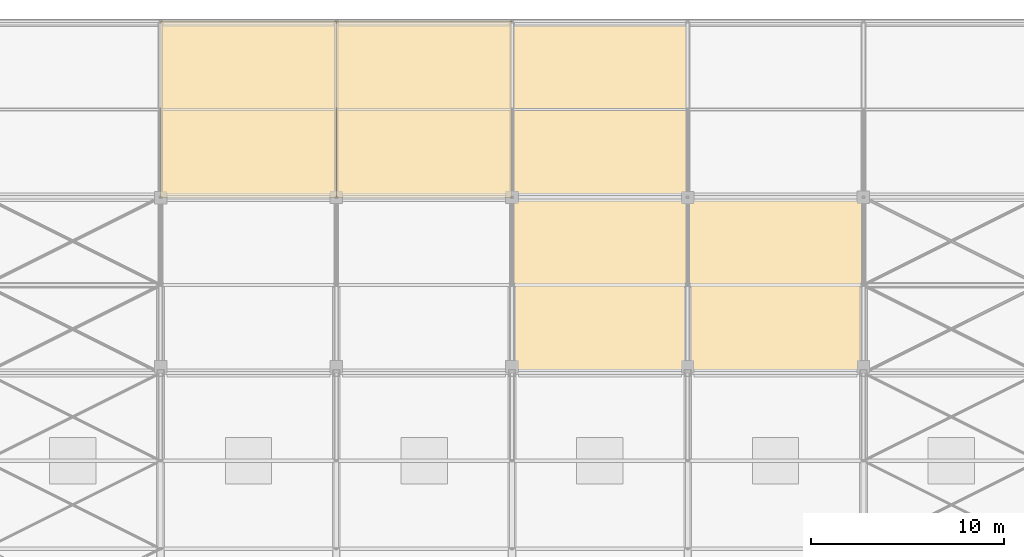
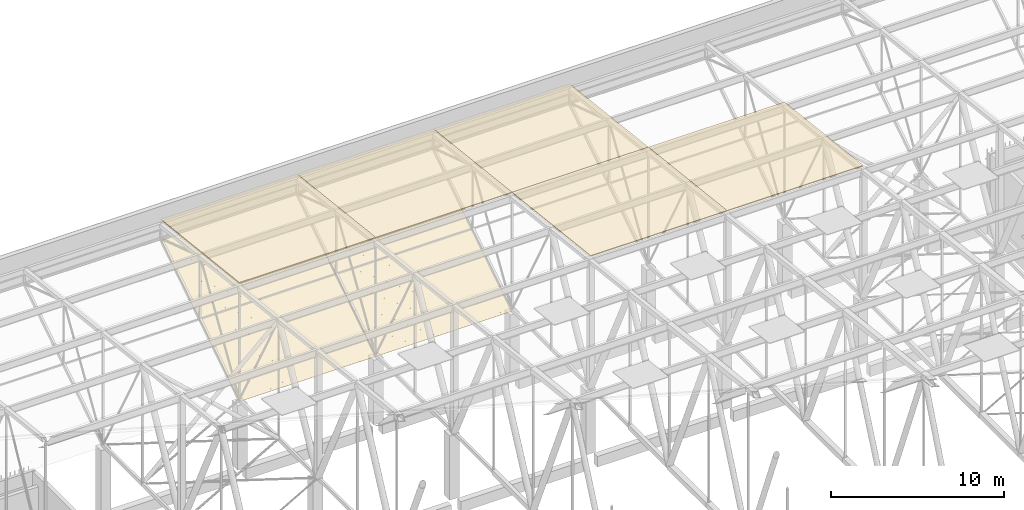
# One storey, part 480 of 500: 7 coverings.
"""IFC4 building model written with IfcOpenShell, lengths in metres."""

from ifc_helpers import new_model, si_unit, direction, frame, origin, place, context, subcontext, project, spatial, polyline, outline, extrude, material, layer, layer_set, type_object, element, save


model = new_model("IFC4")

# Units and contexts
model_context = context("Model", 3, precision=1e-05, world=origin(), true_north=direction((0.0, 1.0)))
body_context = subcontext(model_context, "Body", "Model", "MODEL_VIEW")
ifc_project = project(units=[si_unit("LENGTHUNIT", "METRE"), si_unit("AREAUNIT", "SQUARE_METRE"), si_unit("VOLUMEUNIT", "CUBIC_METRE"), si_unit("PLANEANGLEUNIT", "RADIAN"), si_unit("MASSUNIT", "GRAM", prefix="KILO")], contexts=[model_context])

# Site, building, storey
site_placement = place(None, origin())
site = spatial("IfcSite", under=ifc_project, at=site_placement, CompositionType="ELEMENT")
building_placement = place(site_placement, origin())
building = spatial("IfcBuilding", under=site, at=building_placement, Name="Shirokan Park Arena", CompositionType="ELEMENT")
storey_placement = place(building_placement, frame((0.0, 0.0, 29.1201171875)))
storey = spatial("IfcBuildingStorey", under=building, at=storey_placement, Name="L06", CompositionType="ELEMENT", Elevation=29.1201171875)

# Coverings
ifc_material_1 = material(Name="Bituminous roofing membrane")
ifc_layer_1 = layer(ifc_material_1, 0.010009765625, Name="Bituminous roofing membrane")
ifc_material_2 = material(Name="Mineral wool insulation")
ifc_layer_2 = layer(ifc_material_2, 0.050048828125, Name="Mineral wool insulation")
ifc_layer_set_1 = layer_set([ifc_layer_1, ifc_layer_2], Name="Bituminous roofing membrane + Mineral wool insulation")
covering_type_1 = type_object("IfcCoveringType", Name="Roofing membrane 60", PredefinedType="ROOFING", material=ifc_layer_set_1)
covering_1_placement = place(storey_placement, frame((54.60009765625, 109.199951171875, 12.9306640625), z_axis=(0.0, 0.113549598152, 0.993532328996), x_axis=(1.0, 0.0, 0.0)))
element("IfcCovering", 1, at=covering_1_placement, inside=storey, type_object=covering_type_1, Name="Roofing", PredefinedType="ROOFING", context=body_context, shape_type="SweptSolid", body=[
    extrude(outline(polyline([(0.0, 0.0), (9.099853515625, 0.0), (9.099853515625, 9.15933723611117), (0.0, 9.15933723611117), (0.0, 0.0)])), origin(), (0.0, 0.0, -1.0), 0.06005859375),
])
covering_2_placement = place(storey_placement, frame((63.699951171875, 109.199951171875, 12.9306640625), z_axis=(0.0, 0.113549598152, 0.993532328996), x_axis=(1.0, 0.0, 0.0)))
element("IfcCovering", 2, at=covering_2_placement, inside=storey, type_object=covering_type_1, Name="Roofing", PredefinedType="ROOFING", context=body_context, shape_type="SweptSolid", body=[
    extrude(outline(polyline([(0.0, 0.0), (9.10009765625, 0.0), (9.10009765625, 9.15933723611117), (0.0, 9.15933723611117), (0.0, 0.0)])), origin(), (0.0, 0.0, -1.0), 0.06005859375),
])
covering_3_placement = place(storey_placement, frame((72.800048828125, 100.10009765625, 13.970703125), z_axis=(0.0, 0.113552605302, 0.993531985308), x_axis=(1.0, 0.0, 0.0)))
element("IfcCovering", 3, at=covering_3_placement, inside=storey, type_object=covering_type_1, Name="Roofing", PredefinedType="ROOFING", context=body_context, shape_type="SweptSolid", body=[
    extrude(outline(polyline([(0.0, 0.0), (9.099853515625, 0.0), (9.099853515625, 9.159094674549365), (0.0, 9.159094674549365), (0.0, 0.0)])), origin(), (0.0, 0.0, -1.0), 0.06005859375),
])
covering_4_placement = place(storey_placement, frame((72.800048828125, 109.199951171875, 12.9306640625), z_axis=(0.0, 0.113549598152, 0.993532328996), x_axis=(1.0, 0.0, 0.0)))
element("IfcCovering", 4, at=covering_4_placement, inside=storey, type_object=covering_type_1, Name="Roofing", PredefinedType="ROOFING", context=body_context, shape_type="SweptSolid", body=[
    extrude(outline(polyline([(0.0, 0.0), (9.099853515625, 0.0), (9.099853515625, 9.15933723611117), (0.0, 9.15933723611117), (0.0, 0.0)])), origin(), (0.0, 0.0, -1.0), 0.06005859375),
])
covering_5_placement = place(storey_placement, frame((81.89990234375, 100.10009765625, 13.970703125), z_axis=(0.0, 0.113552605302, 0.993531985308), x_axis=(1.0, 0.0, 0.0)))
element("IfcCovering", 5, at=covering_5_placement, inside=storey, type_object=covering_type_1, Name="Roofing", PredefinedType="ROOFING", context=body_context, shape_type="SweptSolid", body=[
    extrude(outline(polyline([(0.0, 0.0), (9.10009765625, 0.0), (9.10009765625, 9.159094674549367), (0.0, 9.159094674549367), (0.0, 0.0)])), origin(), (0.0, 0.0, -1.0), 0.06005859375),
])
ifc_material_3 = material(Name="Timber soffit boards (cedar)", Category="wood")
ifc_layer_3 = layer(ifc_material_3, 0.030029296875)
ifc_layer_set_2 = layer_set([ifc_layer_3], Name="Timber soffit boards (cedar) 30 mm")
covering_type_2 = type_object("IfcCoveringType", Name="Timber boarded soffit panel", PredefinedType="CLADDING", material=ifc_layer_set_2)
covering_6_placement = place(storey_placement, origin())
element("IfcCovering", 6, at=covering_6_placement, inside=storey, type_object=covering_type_2, Name="Eave soffit north bay 7", PredefinedType="CLADDING", context=body_context, shape_type="SweptSolid", body=[
    extrude(outline(polyline([(0.0, 0.0), (0.14269332184793307, 0.0), (0.14269332184793307, -9.100000000000001), (0.0, -9.100000000000001), (0.0, 0.0)])), frame((63.699951171875, 109.320068359375, 4.60302734375), z_axis=(0.0, -0.541090493936, 0.840964373426), x_axis=(0.0, -0.840964373426, -0.541090493936)), (0.0, 0.0, -1.0), 0.030029296875),
    extrude(outline(polyline([(0.0, 0.0), (0.1426933218479331, 0.0), (0.1426933218479331, -9.100000000000003), (0.0, -9.100000000000003), (0.0, 0.0)])), frame((54.60009765625, 118.179931640625, 10.3037109375), z_axis=(0.0, -0.541090493936, 0.840964373426), x_axis=(0.0, 0.840964373426, 0.541090493936)), (0.0, 0.0, -1.0), 0.030029296875),
    extrude(outline(polyline([(0.0, 0.0), (0.12000000000000455, 0.0), (0.12000000000000455, -10.535473996759718), (0.0, -10.535473996759718), (0.0, 0.0)])), frame((63.699951171875, 109.320068359375, 4.60302734375), z_axis=(0.0, -0.541084340558, 0.84096833258), x_axis=(-1.0, 0.0, 0.0)), (0.0, 0.0, -1.0), 0.030029296875),
    extrude(outline(polyline([(0.0, 0.0), (0.11999999999999744, 0.0), (0.11999999999999744, -10.53547399675972), (0.0, -10.53547399675972), (0.0, 0.0)])), frame((54.60009765625, 118.179931640625, 10.3037109375), z_axis=(0.0, -0.541084340558, 0.84096833258), x_axis=(1.0, 0.0, 0.0)), (0.0, 0.0, -1.0), 0.030029296875),
    extrude(outline(polyline([(0.0, 0.0), (10.535473996759718, 0.0), (10.535473996759718, -0.183329999999998), (0.0, -0.183329999999998), (0.0, 0.0)])), frame((54.9033203125, 118.179931640625, 10.3037109375), z_axis=(0.0, -0.541084340558, 0.84096833258), x_axis=(0.0, -0.84096833258, -0.541084340558)), (0.0, 0.0, -1.0), 0.030029296875),
    extrude(outline(polyline([(0.0, 0.0), (10.535473996759718, 0.0), (10.535473996759718, -0.3033400000000057), (0.0, -0.3033400000000057), (0.0, 0.0)])), frame((55.206787109375, 118.179931640625, 10.3037109375), z_axis=(0.0, -0.541084340558, 0.84096833258), x_axis=(0.0, -0.84096833258, -0.541084340558)), (0.0, 0.0, -1.0), 0.030029296875),
    extrude(outline(polyline([(0.0, 0.0), (10.535473996759718, 0.0), (10.535473996759718, -0.30332999999999544), (0.0, -0.30332999999999544), (0.0, 0.0)])), frame((55.510009765625, 118.179931640625, 10.3037109375), z_axis=(0.0, -0.541084340558, 0.84096833258), x_axis=(0.0, -0.84096833258, -0.541084340558)), (0.0, 0.0, -1.0), 0.030029296875),
    extrude(outline(polyline([(0.0, 0.0), (10.535473996759718, 0.0), (10.535473996759718, -0.30333000000000254), (0.0, -0.30333000000000254), (0.0, 0.0)])), frame((55.813232421875, 118.179931640625, 10.3037109375), z_axis=(0.0, -0.541084340558, 0.84096833258), x_axis=(0.0, -0.84096833258, -0.541084340558)), (0.0, 0.0, -1.0), 0.030029296875),
    extrude(outline(polyline([(0.0, 0.0), (10.535473996759718, 0.0), (10.535473996759718, -0.3033399999999986), (0.0, -0.3033399999999986), (0.0, 0.0)])), frame((56.11669921875, 118.179931640625, 10.3037109375), z_axis=(0.0, -0.541084340558, 0.84096833258), x_axis=(0.0, -0.84096833258, -0.541084340558)), (0.0, 0.0, -1.0), 0.030029296875),
    extrude(outline(polyline([(0.0, 0.0), (10.535473996759718, 0.0), (10.535473996759718, -0.30333000000000254), (0.0, -0.30333000000000254), (0.0, 0.0)])), frame((56.419921875, 118.179931640625, 10.3037109375), z_axis=(0.0, -0.541084340558, 0.84096833258), x_axis=(0.0, -0.84096833258, -0.541084340558)), (0.0, 0.0, -1.0), 0.030029296875),
    extrude(outline(polyline([(0.0, 0.0), (10.535473996759718, 0.0), (10.535473996759718, -0.30332999999999544), (0.0, -0.30332999999999544), (0.0, 0.0)])), frame((56.723388671875, 118.179931640625, 10.3037109375), z_axis=(0.0, -0.541084340558, 0.84096833258), x_axis=(0.0, -0.84096833258, -0.541084340558)), (0.0, 0.0, -1.0), 0.030029296875),
    extrude(outline(polyline([(0.0, 0.0), (10.535473996759718, 0.0), (10.535473996759718, -0.3033400000000057), (0.0, -0.3033400000000057), (0.0, 0.0)])), frame((57.026611328125, 118.179931640625, 10.3037109375), z_axis=(0.0, -0.541084340558, 0.84096833258), x_axis=(0.0, -0.84096833258, -0.541084340558)), (0.0, 0.0, -1.0), 0.030029296875),
    extrude(outline(polyline([(0.0, 0.0), (10.535473996759718, 0.0), (10.535473996759718, -0.30332999999999544), (0.0, -0.30332999999999544), (0.0, 0.0)])), frame((57.330078125, 118.179931640625, 10.3037109375), z_axis=(0.0, -0.541084340558, 0.84096833258), x_axis=(0.0, -0.84096833258, -0.541084340558)), (0.0, 0.0, -1.0), 0.030029296875),
    extrude(outline(polyline([(0.0, 0.0), (10.535473996759718, 0.0), (10.535473996759718, -0.30333000000000254), (0.0, -0.30333000000000254), (0.0, 0.0)])), frame((57.63330078125, 118.179931640625, 10.3037109375), z_axis=(0.0, -0.541084340558, 0.84096833258), x_axis=(0.0, -0.84096833258, -0.541084340558)), (0.0, 0.0, -1.0), 0.030029296875),
    extrude(outline(polyline([(0.0, 0.0), (10.535473996759718, 0.0), (10.535473996759718, -0.3033399999999986), (0.0, -0.3033399999999986), (0.0, 0.0)])), frame((57.936767578125, 118.179931640625, 10.3037109375), z_axis=(0.0, -0.541084340558, 0.84096833258), x_axis=(0.0, -0.84096833258, -0.541084340558)), (0.0, 0.0, -1.0), 0.030029296875),
    extrude(outline(polyline([(0.0, 0.0), (10.535473996759718, 0.0), (10.535473996759718, -0.30333000000000254), (0.0, -0.30333000000000254), (0.0, 0.0)])), frame((58.239990234375, 118.179931640625, 10.3037109375), z_axis=(0.0, -0.541084340558, 0.84096833258), x_axis=(0.0, -0.84096833258, -0.541084340558)), (0.0, 0.0, -1.0), 0.030029296875),
    extrude(outline(polyline([(0.0, 0.0), (10.535473996759718, 0.0), (10.535473996759718, -0.30332999999999544), (0.0, -0.30332999999999544), (0.0, 0.0)])), frame((58.543212890625, 118.179931640625, 10.3037109375), z_axis=(0.0, -0.541084340558, 0.84096833258), x_axis=(0.0, -0.84096833258, -0.541084340558)), (0.0, 0.0, -1.0), 0.030029296875),
    extrude(outline(polyline([(0.0, 0.0), (10.535473996759718, 0.0), (10.535473996759718, -0.3033400000000057), (0.0, -0.3033400000000057), (0.0, 0.0)])), frame((58.8466796875, 118.179931640625, 10.3037109375), z_axis=(0.0, -0.541084340558, 0.84096833258), x_axis=(0.0, -0.84096833258, -0.541084340558)), (0.0, 0.0, -1.0), 0.030029296875),
    extrude(outline(polyline([(0.0, 0.0), (10.535473996759718, 0.0), (10.535473996759718, -0.30332999999999544), (0.0, -0.30332999999999544), (0.0, 0.0)])), frame((59.14990234375, 118.179931640625, 10.3037109375), z_axis=(0.0, -0.541084340558, 0.84096833258), x_axis=(0.0, -0.84096833258, -0.541084340558)), (0.0, 0.0, -1.0), 0.030029296875),
    extrude(outline(polyline([(0.0, 0.0), (10.535473996759718, 0.0), (10.535473996759718, -0.30333000000000254), (0.0, -0.30333000000000254), (0.0, 0.0)])), frame((59.453369140625, 118.179931640625, 10.3037109375), z_axis=(0.0, -0.541084340558, 0.84096833258), x_axis=(0.0, -0.84096833258, -0.541084340558)), (0.0, 0.0, -1.0), 0.030029296875),
    extrude(outline(polyline([(0.0, 0.0), (10.535473996759718, 0.0), (10.535473996759718, -0.3033399999999986), (0.0, -0.3033399999999986), (0.0, 0.0)])), frame((59.756591796875, 118.179931640625, 10.3037109375), z_axis=(0.0, -0.541084340558, 0.84096833258), x_axis=(0.0, -0.84096833258, -0.541084340558)), (0.0, 0.0, -1.0), 0.030029296875),
    extrude(outline(polyline([(0.0, 0.0), (10.535473996759718, 0.0), (10.535473996759718, -0.30333000000000254), (0.0, -0.30333000000000254), (0.0, 0.0)])), frame((60.06005859375, 118.179931640625, 10.3037109375), z_axis=(0.0, -0.541084340558, 0.84096833258), x_axis=(0.0, -0.84096833258, -0.541084340558)), (0.0, 0.0, -1.0), 0.030029296875),
    extrude(outline(polyline([(0.0, 0.0), (10.535473996759718, 0.0), (10.535473996759718, -0.30332999999999544), (0.0, -0.30332999999999544), (0.0, 0.0)])), frame((60.36328125, 118.179931640625, 10.3037109375), z_axis=(0.0, -0.541084340558, 0.84096833258), x_axis=(0.0, -0.84096833258, -0.541084340558)), (0.0, 0.0, -1.0), 0.030029296875),
    extrude(outline(polyline([(0.0, 0.0), (10.535473996759718, 0.0), (10.535473996759718, -0.3033400000000057), (0.0, -0.3033400000000057), (0.0, 0.0)])), frame((60.666748046875, 118.179931640625, 10.3037109375), z_axis=(0.0, -0.541084340558, 0.84096833258), x_axis=(0.0, -0.84096833258, -0.541084340558)), (0.0, 0.0, -1.0), 0.030029296875),
    extrude(outline(polyline([(0.0, 0.0), (10.535473996759718, 0.0), (10.535473996759718, -0.30332999999999544), (0.0, -0.30332999999999544), (0.0, 0.0)])), frame((60.969970703125, 118.179931640625, 10.3037109375), z_axis=(0.0, -0.541084340558, 0.84096833258), x_axis=(0.0, -0.84096833258, -0.541084340558)), (0.0, 0.0, -1.0), 0.030029296875),
    extrude(outline(polyline([(0.0, 0.0), (10.535473996759718, 0.0), (10.535473996759718, -0.30333000000000254), (0.0, -0.30333000000000254), (0.0, 0.0)])), frame((61.2734375, 118.179931640625, 10.3037109375), z_axis=(0.0, -0.541084340558, 0.84096833258), x_axis=(0.0, -0.84096833258, -0.541084340558)), (0.0, 0.0, -1.0), 0.030029296875),
    extrude(outline(polyline([(0.0, 0.0), (10.535473996759718, 0.0), (10.535473996759718, -0.30333999999999856), (0.0, -0.30333999999999856), (0.0, 0.0)])), frame((61.57666015625, 118.179931640625, 10.3037109375), z_axis=(0.0, -0.541084340558, 0.84096833258), x_axis=(0.0, -0.84096833258, -0.541084340558)), (0.0, 0.0, -1.0), 0.030029296875),
    extrude(outline(polyline([(0.0, 0.0), (10.535473996759718, 0.0), (10.535473996759718, -0.30333000000000254), (0.0, -0.30333000000000254), (0.0, 0.0)])), frame((61.8798828125, 118.179931640625, 10.3037109375), z_axis=(0.0, -0.541084340558, 0.84096833258), x_axis=(0.0, -0.84096833258, -0.541084340558)), (0.0, 0.0, -1.0), 0.030029296875),
    extrude(outline(polyline([(0.0, 0.0), (10.535473996759718, 0.0), (10.535473996759718, -0.30332999999999544), (0.0, -0.30332999999999544), (0.0, 0.0)])), frame((62.183349609375, 118.179931640625, 10.3037109375), z_axis=(0.0, -0.541084340558, 0.84096833258), x_axis=(0.0, -0.84096833258, -0.541084340558)), (0.0, 0.0, -1.0), 0.030029296875),
    extrude(outline(polyline([(0.0, 0.0), (10.535473996759718, 0.0), (10.535473996759718, -0.3033399999999986), (0.0, -0.3033399999999986), (0.0, 0.0)])), frame((62.486572265625, 118.179931640625, 10.3037109375), z_axis=(0.0, -0.541084340558, 0.84096833258), x_axis=(0.0, -0.84096833258, -0.541084340558)), (0.0, 0.0, -1.0), 0.030029296875),
    extrude(outline(polyline([(0.0, 0.0), (10.535473996759718, 0.0), (10.535473996759718, -0.30333000000000254), (0.0, -0.30333000000000254), (0.0, 0.0)])), frame((62.7900390625, 118.179931640625, 10.3037109375), z_axis=(0.0, -0.541084340558, 0.84096833258), x_axis=(0.0, -0.84096833258, -0.541084340558)), (0.0, 0.0, -1.0), 0.030029296875),
    extrude(outline(polyline([(0.0, 0.0), (10.535473996759718, 0.0), (10.535473996759718, -0.30333000000000254), (0.0, -0.30333000000000254), (0.0, 0.0)])), frame((63.09326171875, 118.179931640625, 10.3037109375), z_axis=(0.0, -0.541084340558, 0.84096833258), x_axis=(0.0, -0.84096833258, -0.541084340558)), (0.0, 0.0, -1.0), 0.030029296875),
    extrude(outline(polyline([(0.0, 0.0), (10.535473996759718, 0.0), (10.535473996759718, -0.30333999999999856), (0.0, -0.30333999999999856), (0.0, 0.0)])), frame((63.396728515625, 118.179931640625, 10.3037109375), z_axis=(0.0, -0.541084340558, 0.84096833258), x_axis=(0.0, -0.84096833258, -0.541084340558)), (0.0, 0.0, -1.0), 0.030029296875),
    extrude(outline(polyline([(0.0, 0.0), (10.535473996759718, 0.0), (10.535473996759718, -0.183329999999998), (0.0, -0.183329999999998), (0.0, 0.0)])), frame((63.580078125, 118.179931640625, 10.3037109375), z_axis=(0.0, -0.541084340558, 0.84096833258), x_axis=(0.0, -0.84096833258, -0.541084340558)), (0.0, 0.0, -1.0), 0.030029296875),
])
covering_7_placement = place(storey_placement, origin())
element("IfcCovering", 7, at=covering_7_placement, inside=storey, type_object=covering_type_2, Name="Eave soffit north bay 8", PredefinedType="CLADDING", context=body_context, shape_type="SweptSolid", body=[
    extrude(outline(polyline([(0.0, 0.0), (0.1426933218479331, 0.0), (0.1426933218479331, -9.099999999999996), (0.0, -9.099999999999996), (0.0, 0.0)])), frame((72.800048828125, 109.320068359375, 4.60302734375), z_axis=(0.0, -0.541090493936, 0.840964373426), x_axis=(0.0, -0.840964373426, -0.541090493936)), (0.0, 0.0, -1.0), 0.030029296875),
    extrude(outline(polyline([(0.0, 0.0), (0.1426933218479331, 0.0), (0.1426933218479331, -9.099999999999996), (0.0, -9.099999999999996), (0.0, 0.0)])), frame((63.699951171875, 118.179931640625, 10.3037109375), z_axis=(0.0, -0.541090493936, 0.840964373426), x_axis=(0.0, 0.840964373426, 0.541090493936)), (0.0, 0.0, -1.0), 0.030029296875),
    extrude(outline(polyline([(0.0, 0.0), (0.11999999999999034, 0.0), (0.11999999999999034, -10.535473996759718), (0.0, -10.535473996759718), (0.0, 0.0)])), frame((72.800048828125, 109.320068359375, 4.60302734375), z_axis=(0.0, -0.541084340558, 0.84096833258), x_axis=(-1.0, 0.0, 0.0)), (0.0, 0.0, -1.0), 0.030029296875),
    extrude(outline(polyline([(0.0, 0.0), (0.11999999999999744, 0.0), (0.11999999999999744, -10.53547399675972), (0.0, -10.53547399675972), (0.0, 0.0)])), frame((63.699951171875, 118.179931640625, 10.3037109375), z_axis=(0.0, -0.541084340558, 0.84096833258), x_axis=(1.0, 0.0, 0.0)), (0.0, 0.0, -1.0), 0.030029296875),
    extrude(outline(polyline([(0.0, 0.0), (10.535473996759718, 0.0), (10.535473996759718, -0.1833300000000051), (0.0, -0.1833300000000051), (0.0, 0.0)])), frame((64.00341796875, 118.179931640625, 10.3037109375), z_axis=(0.0, -0.541084340558, 0.84096833258), x_axis=(0.0, -0.84096833258, -0.541084340558)), (0.0, 0.0, -1.0), 0.030029296875),
    extrude(outline(polyline([(0.0, 0.0), (10.53547399675972, 0.0), (10.53547399675972, -0.3033399999999915), (0.0, -0.3033399999999915), (0.0, 0.0)])), frame((64.306640625, 118.179931640625, 10.3037109375), z_axis=(0.0, -0.541084340558, 0.84096833258), x_axis=(0.0, -0.84096833258, -0.541084340558)), (0.0, 0.0, -1.0), 0.030029296875),
    extrude(outline(polyline([(0.0, 0.0), (10.535473996759718, 0.0), (10.535473996759718, -0.30333000000000254), (0.0, -0.30333000000000254), (0.0, 0.0)])), frame((64.610107421875, 118.179931640625, 10.3037109375), z_axis=(0.0, -0.541084340558, 0.84096833258), x_axis=(0.0, -0.84096833258, -0.541084340558)), (0.0, 0.0, -1.0), 0.030029296875),
    extrude(outline(polyline([(0.0, 0.0), (10.535473996759718, 0.0), (10.535473996759718, -0.30333000000000254), (0.0, -0.30333000000000254), (0.0, 0.0)])), frame((64.913330078125, 118.179931640625, 10.3037109375), z_axis=(0.0, -0.541084340558, 0.84096833258), x_axis=(0.0, -0.84096833258, -0.541084340558)), (0.0, 0.0, -1.0), 0.030029296875),
    extrude(outline(polyline([(0.0, 0.0), (10.535473996759718, 0.0), (10.535473996759718, -0.3033399999999915), (0.0, -0.3033399999999915), (0.0, 0.0)])), frame((65.216552734375, 118.179931640625, 10.3037109375), z_axis=(0.0, -0.541084340558, 0.84096833258), x_axis=(0.0, -0.84096833258, -0.541084340558)), (0.0, 0.0, -1.0), 0.030029296875),
    extrude(outline(polyline([(0.0, 0.0), (10.535473996759718, 0.0), (10.535473996759718, -0.30333000000000254), (0.0, -0.30333000000000254), (0.0, 0.0)])), frame((65.52001953125, 118.179931640625, 10.3037109375), z_axis=(0.0, -0.541084340558, 0.84096833258), x_axis=(0.0, -0.84096833258, -0.541084340558)), (0.0, 0.0, -1.0), 0.030029296875),
    extrude(outline(polyline([(0.0, 0.0), (10.535473996759718, 0.0), (10.535473996759718, -0.30333000000000254), (0.0, -0.30333000000000254), (0.0, 0.0)])), frame((65.8232421875, 118.179931640625, 10.3037109375), z_axis=(0.0, -0.541084340558, 0.84096833258), x_axis=(0.0, -0.84096833258, -0.541084340558)), (0.0, 0.0, -1.0), 0.030029296875),
    extrude(outline(polyline([(0.0, 0.0), (10.535473996759718, 0.0), (10.535473996759718, -0.3033400000000057), (0.0, -0.3033400000000057), (0.0, 0.0)])), frame((66.126708984375, 118.179931640625, 10.3037109375), z_axis=(0.0, -0.541084340558, 0.84096833258), x_axis=(0.0, -0.84096833258, -0.541084340558)), (0.0, 0.0, -1.0), 0.030029296875),
    extrude(outline(polyline([(0.0, 0.0), (10.535473996759718, 0.0), (10.535473996759718, -0.30333000000000254), (0.0, -0.30333000000000254), (0.0, 0.0)])), frame((66.429931640625, 118.179931640625, 10.3037109375), z_axis=(0.0, -0.541084340558, 0.84096833258), x_axis=(0.0, -0.84096833258, -0.541084340558)), (0.0, 0.0, -1.0), 0.030029296875),
    extrude(outline(polyline([(0.0, 0.0), (10.535473996759718, 0.0), (10.535473996759718, -0.30332999999998833), (0.0, -0.30332999999998833), (0.0, 0.0)])), frame((66.7333984375, 118.179931640625, 10.3037109375), z_axis=(0.0, -0.541084340558, 0.84096833258), x_axis=(0.0, -0.84096833258, -0.541084340558)), (0.0, 0.0, -1.0), 0.030029296875),
    extrude(outline(polyline([(0.0, 0.0), (10.535473996759718, 0.0), (10.535473996759718, -0.3033400000000057), (0.0, -0.3033400000000057), (0.0, 0.0)])), frame((67.03662109375, 118.179931640625, 10.3037109375), z_axis=(0.0, -0.541084340558, 0.84096833258), x_axis=(0.0, -0.84096833258, -0.541084340558)), (0.0, 0.0, -1.0), 0.030029296875),
    extrude(outline(polyline([(0.0, 0.0), (10.535473996759718, 0.0), (10.535473996759718, -0.30333000000000254), (0.0, -0.30333000000000254), (0.0, 0.0)])), frame((67.340087890625, 118.179931640625, 10.3037109375), z_axis=(0.0, -0.541084340558, 0.84096833258), x_axis=(0.0, -0.84096833258, -0.541084340558)), (0.0, 0.0, -1.0), 0.030029296875),
    extrude(outline(polyline([(0.0, 0.0), (10.535473996759718, 0.0), (10.535473996759718, -0.30333000000000254), (0.0, -0.30333000000000254), (0.0, 0.0)])), frame((67.643310546875, 118.179931640625, 10.3037109375), z_axis=(0.0, -0.541084340558, 0.84096833258), x_axis=(0.0, -0.84096833258, -0.541084340558)), (0.0, 0.0, -1.0), 0.030029296875),
    extrude(outline(polyline([(0.0, 0.0), (10.53547399675972, 0.0), (10.53547399675972, -0.3033399999999915), (0.0, -0.3033399999999915), (0.0, 0.0)])), frame((67.94677734375, 118.179931640625, 10.3037109375), z_axis=(0.0, -0.541084340558, 0.84096833258), x_axis=(0.0, -0.84096833258, -0.541084340558)), (0.0, 0.0, -1.0), 0.030029296875),
    extrude(outline(polyline([(0.0, 0.0), (10.535473996759718, 0.0), (10.535473996759718, -0.30333000000000254), (0.0, -0.30333000000000254), (0.0, 0.0)])), frame((68.25, 118.179931640625, 10.3037109375), z_axis=(0.0, -0.541084340558, 0.84096833258), x_axis=(0.0, -0.84096833258, -0.541084340558)), (0.0, 0.0, -1.0), 0.030029296875),
    extrude(outline(polyline([(0.0, 0.0), (10.535473996759718, 0.0), (10.535473996759718, -0.30333000000000254), (0.0, -0.30333000000000254), (0.0, 0.0)])), frame((68.55322265625, 118.179931640625, 10.3037109375), z_axis=(0.0, -0.541084340558, 0.84096833258), x_axis=(0.0, -0.84096833258, -0.541084340558)), (0.0, 0.0, -1.0), 0.030029296875),
    extrude(outline(polyline([(0.0, 0.0), (10.535473996759718, 0.0), (10.535473996759718, -0.3033399999999915), (0.0, -0.3033399999999915), (0.0, 0.0)])), frame((68.856689453125, 118.179931640625, 10.3037109375), z_axis=(0.0, -0.541084340558, 0.84096833258), x_axis=(0.0, -0.84096833258, -0.541084340558)), (0.0, 0.0, -1.0), 0.030029296875),
    extrude(outline(polyline([(0.0, 0.0), (10.535473996759718, 0.0), (10.535473996759718, -0.30333000000000254), (0.0, -0.30333000000000254), (0.0, 0.0)])), frame((69.159912109375, 118.179931640625, 10.3037109375), z_axis=(0.0, -0.541084340558, 0.84096833258), x_axis=(0.0, -0.84096833258, -0.541084340558)), (0.0, 0.0, -1.0), 0.030029296875),
    extrude(outline(polyline([(0.0, 0.0), (10.535473996759718, 0.0), (10.535473996759718, -0.30333000000000254), (0.0, -0.30333000000000254), (0.0, 0.0)])), frame((69.46337890625, 118.179931640625, 10.3037109375), z_axis=(0.0, -0.541084340558, 0.84096833258), x_axis=(0.0, -0.84096833258, -0.541084340558)), (0.0, 0.0, -1.0), 0.030029296875),
    extrude(outline(polyline([(0.0, 0.0), (10.535473996759718, 0.0), (10.535473996759718, -0.3033400000000057), (0.0, -0.3033400000000057), (0.0, 0.0)])), frame((69.7666015625, 118.179931640625, 10.3037109375), z_axis=(0.0, -0.541084340558, 0.84096833258), x_axis=(0.0, -0.84096833258, -0.541084340558)), (0.0, 0.0, -1.0), 0.030029296875),
    extrude(outline(polyline([(0.0, 0.0), (10.535473996759718, 0.0), (10.535473996759718, -0.30332999999998833), (0.0, -0.30332999999998833), (0.0, 0.0)])), frame((70.070068359375, 118.179931640625, 10.3037109375), z_axis=(0.0, -0.541084340558, 0.84096833258), x_axis=(0.0, -0.84096833258, -0.541084340558)), (0.0, 0.0, -1.0), 0.030029296875),
    extrude(outline(polyline([(0.0, 0.0), (10.535473996759718, 0.0), (10.535473996759718, -0.30333000000000254), (0.0, -0.30333000000000254), (0.0, 0.0)])), frame((70.373291015625, 118.179931640625, 10.3037109375), z_axis=(0.0, -0.541084340558, 0.84096833258), x_axis=(0.0, -0.84096833258, -0.541084340558)), (0.0, 0.0, -1.0), 0.030029296875),
    extrude(outline(polyline([(0.0, 0.0), (10.535473996759718, 0.0), (10.535473996759718, -0.3033400000000057), (0.0, -0.3033400000000057), (0.0, 0.0)])), frame((70.6767578125, 118.179931640625, 10.3037109375), z_axis=(0.0, -0.541084340558, 0.84096833258), x_axis=(0.0, -0.84096833258, -0.541084340558)), (0.0, 0.0, -1.0), 0.030029296875),
    extrude(outline(polyline([(0.0, 0.0), (10.535473996759718, 0.0), (10.535473996759718, -0.30333000000000254), (0.0, -0.30333000000000254), (0.0, 0.0)])), frame((70.97998046875, 118.179931640625, 10.3037109375), z_axis=(0.0, -0.541084340558, 0.84096833258), x_axis=(0.0, -0.84096833258, -0.541084340558)), (0.0, 0.0, -1.0), 0.030029296875),
    extrude(outline(polyline([(0.0, 0.0), (10.535473996759718, 0.0), (10.535473996759718, -0.30333000000000254), (0.0, -0.30333000000000254), (0.0, 0.0)])), frame((71.283447265625, 118.179931640625, 10.3037109375), z_axis=(0.0, -0.541084340558, 0.84096833258), x_axis=(0.0, -0.84096833258, -0.541084340558)), (0.0, 0.0, -1.0), 0.030029296875),
    extrude(outline(polyline([(0.0, 0.0), (10.535473996759718, 0.0), (10.535473996759718, -0.3033399999999915), (0.0, -0.3033399999999915), (0.0, 0.0)])), frame((71.586669921875, 118.179931640625, 10.3037109375), z_axis=(0.0, -0.541084340558, 0.84096833258), x_axis=(0.0, -0.84096833258, -0.541084340558)), (0.0, 0.0, -1.0), 0.030029296875),
    extrude(outline(polyline([(0.0, 0.0), (10.535473996759718, 0.0), (10.535473996759718, -0.30333000000000254), (0.0, -0.30333000000000254), (0.0, 0.0)])), frame((71.889892578125, 118.179931640625, 10.3037109375), z_axis=(0.0, -0.541084340558, 0.84096833258), x_axis=(0.0, -0.84096833258, -0.541084340558)), (0.0, 0.0, -1.0), 0.030029296875),
    extrude(outline(polyline([(0.0, 0.0), (10.535473996759718, 0.0), (10.535473996759718, -0.30333000000000254), (0.0, -0.30333000000000254), (0.0, 0.0)])), frame((72.193359375, 118.179931640625, 10.3037109375), z_axis=(0.0, -0.541084340558, 0.84096833258), x_axis=(0.0, -0.84096833258, -0.541084340558)), (0.0, 0.0, -1.0), 0.030029296875),
    extrude(outline(polyline([(0.0, 0.0), (10.535473996759718, 0.0), (10.535473996759718, -0.3033399999999915), (0.0, -0.3033399999999915), (0.0, 0.0)])), frame((72.49658203125, 118.179931640625, 10.3037109375), z_axis=(0.0, -0.541084340558, 0.84096833258), x_axis=(0.0, -0.84096833258, -0.541084340558)), (0.0, 0.0, -1.0), 0.030029296875),
    extrude(outline(polyline([(0.0, 0.0), (10.535473996759718, 0.0), (10.535473996759718, -0.1833300000000122), (0.0, -0.1833300000000122), (0.0, 0.0)])), frame((72.679931640625, 118.179931640625, 10.3037109375), z_axis=(0.0, -0.541084340558, 0.84096833258), x_axis=(0.0, -0.84096833258, -0.541084340558)), (0.0, 0.0, -1.0), 0.030029296875),
])

save(model, "model.ifc")
